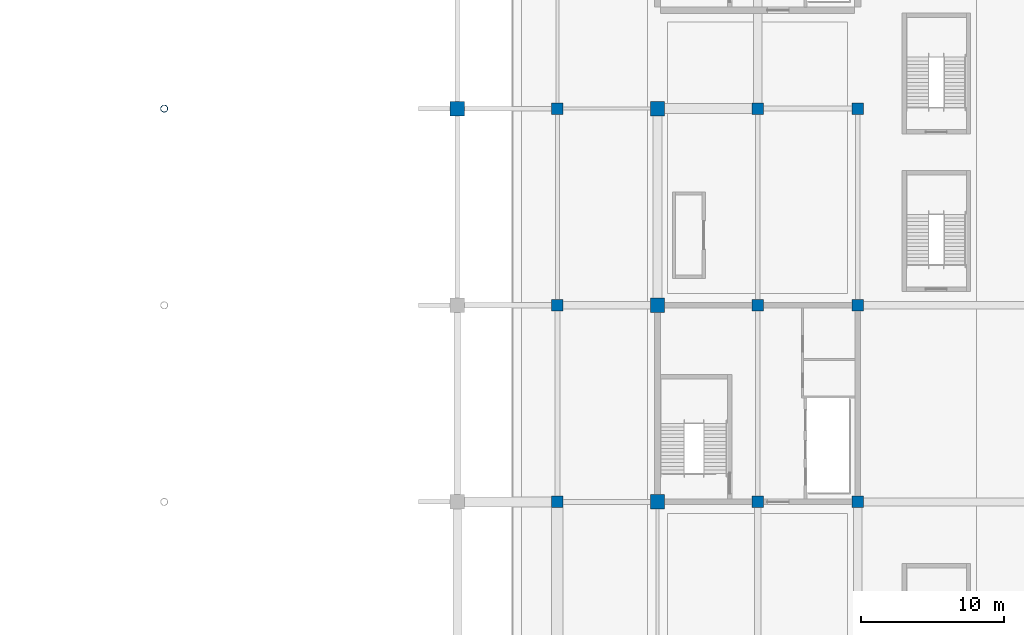
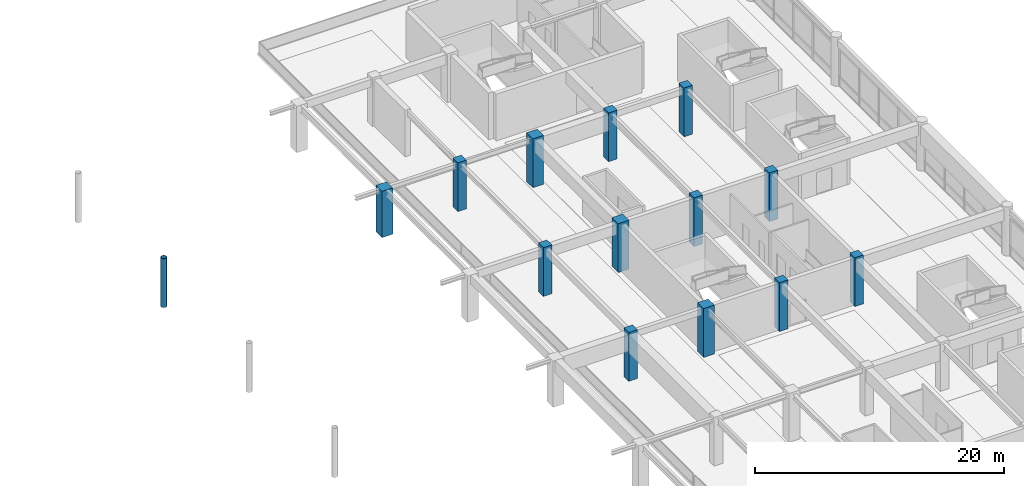
# One storey, part 11 of 91: 14 columns.
"""IFC4 building model written with IfcOpenShell, lengths in metres."""

from ifc_helpers import new_model, si_unit, direction, frame, origin, origin_2d, place, context, subcontext, project, spatial, rectangle, hollow_circle, extrude, material, material_profile, profile_set, type_object, element, save


model = new_model("IFC4")

# Units and contexts
model_context = context("Model", 3, precision=1e-05, world=origin(), true_north=direction((0.0, 1.0)))
body_context = subcontext(model_context, "Body", "Model", "MODEL_VIEW")
ifc_project = project(units=[si_unit("LENGTHUNIT", "METRE"), si_unit("AREAUNIT", "SQUARE_METRE"), si_unit("VOLUMEUNIT", "CUBIC_METRE"), si_unit("PLANEANGLEUNIT", "RADIAN"), si_unit("MASSUNIT", "GRAM", prefix="KILO")], contexts=[model_context])

# Site, building, storey
site_placement = place(None, origin())
site = spatial("IfcSite", under=ifc_project, at=site_placement, CompositionType="ELEMENT")
building_placement = place(site_placement, origin())
building = spatial("IfcBuilding", under=site, at=building_placement, Name="Linyun Crest Stadium", CompositionType="ELEMENT")
storey_placement = place(building_placement, frame((0.0, 0.0, 11.39990234375)))
storey = spatial("IfcBuildingStorey", under=building, at=storey_placement, Name="L03", CompositionType="ELEMENT", Elevation=11.39990234375)

# Columns
ifc_material_1 = material(Name="Concrete C50", Category="concrete")
ifc_material_profile_1 = material_profile(ifc_material_1, rectangle(XDim=0.800048828125, YDim=0.800048828125, at=origin_2d()), Name="RC 800x800")
ifc_profile_set_1 = profile_set([ifc_material_profile_1], Name="Concrete C50")
column_type_1 = type_object("IfcColumnType", Name="C03", PredefinedType="COLUMN", material=ifc_profile_set_1)
for number, where, z_axis, x_axis, name in (
    (1, (63.0, 2.125, 0.0), (0.0, 0.0, 1.0), (1.0, 0.0, 0.0), "Column C03 L03 376"),
    (2, (63.0, 15.875, 0.0), (0.0, 0.0, 1.0), (1.0, 0.0, 0.0), "Column C03 L03 381"),
    (3, (63.0, 29.625, 0.0), (0.0, 0.0, 1.0), (1.0, 0.0, 0.0), "Column C03 L03 386"),
    (4, (77.0, 2.125, 0.0), (0.0, 0.0, 1.0), (1.0, 0.0, 0.0), "Column C03 L03 464"),
    (5, (77.0, 15.875, 0.0), (0.0, 0.0, 1.0), (1.0, 0.0, 0.0), "Column C03 L03 469"),
    (6, (77.0, 29.625, 0.0), (0.0, 0.0, 1.0), (1.0, 0.0, 0.0), "Column C03 L03 474"),
    (7, (84.0, 2.125, 0.0), (0.0, 0.0, 1.0), (1.0, 0.0, 0.0), "Column C03 L03 508"),
    (8, (84.0, 15.875, 0.0), (0.0, 0.0, 1.0), (1.0, 0.0, 0.0), "Column C03 L03 514"),
    (9, (84.0, 29.625, 0.0), (0.0, 0.0, 1.0), (1.0, 0.0, 0.0), "Column C03 L03 520"),
):
    element("IfcColumn", number, at=place(storey_placement, frame(where, z_axis=z_axis, x_axis=x_axis)), inside=storey, type_object=column_type_1, Name=name, PredefinedType="COLUMN", context=body_context, shape_type="SweptSolid", body=[
        extrude(rectangle(XDim=0.800048828125, YDim=0.800048828125, at=origin_2d()), origin(), (0.0, 0.0, 1.0), 4.798095703125),
    ])
ifc_material_2 = material(Name="Concrete C50", Category="concrete")
ifc_material_profile_2 = material_profile(ifc_material_2, rectangle(XDim=1.0, YDim=1.0, at=origin_2d()), Name="RC 1000x1000")
ifc_profile_set_2 = profile_set([ifc_material_profile_2], Name="Concrete C50")
column_type_2 = type_object("IfcColumnType", Name="C05", PredefinedType="COLUMN", material=ifc_profile_set_2)
column_1_placement = place(storey_placement, frame((56.0, 29.625, 0.0), z_axis=(0.0, 0.0, 1.0), x_axis=(1.0, 0.0, 0.0)))
element("IfcColumn", 10, at=column_1_placement, inside=storey, type_object=column_type_2, Name="Column C05 L03 348", PredefinedType="COLUMN", context=body_context, shape_type="SweptSolid", body=[
    extrude(rectangle(XDim=1.0, YDim=1.0, at=origin_2d()), origin(), (0.0, 0.0, 1.0), 4.5400390625),
])
for number, where, z_axis, x_axis, name in (
    (11, (70.0, 2.125, 0.0), (0.0, 0.0, 1.0), (1.0, 0.0, 0.0), "Column C05 L03 420"),
    (12, (70.0, 15.875, 0.0), (0.0, 0.0, 1.0), (1.0, 0.0, 0.0), "Column C05 L03 426"),
    (13, (70.0, 29.625, 0.0), (0.0, 0.0, 1.0), (1.0, 0.0, 0.0), "Column C05 L03 432"),
):
    element("IfcColumn", number, at=place(storey_placement, frame(where, z_axis=z_axis, x_axis=x_axis)), inside=storey, type_object=column_type_2, Name=name, PredefinedType="COLUMN", context=body_context, shape_type="SweptSolid", body=[
        extrude(rectangle(XDim=1.0, YDim=1.0, at=origin_2d()), origin(), (0.0, 0.0, 1.0), 4.798095703125),
    ])
ifc_material_3 = material(Name="Steel Q355C", Category="steel")
ifc_material_profile_3 = material_profile(ifc_material_3, hollow_circle(Radius=0.25390625, WallThickness=0.02490234375, at=origin_2d()), Name="CHS 508x25")
ifc_profile_set_3 = profile_set([ifc_material_profile_3], Name="Steel Q355C")
column_type_3 = type_object("IfcColumnType", Name="SC05", PredefinedType="COLUMN", material=ifc_profile_set_3)
column_2_placement = place(storey_placement, frame((35.5, 29.625, 0.0), z_axis=(0.0, 0.0, 1.0), x_axis=(1.0, 0.0, 0.0)))
element("IfcColumn", 14, at=column_2_placement, inside=storey, type_object=column_type_3, Name="Arch colonnade column SC05 L03 30", PredefinedType="COLUMN", context=body_context, shape_type="SweptSolid", body=[
    extrude(hollow_circle(Radius=0.25390625, WallThickness=0.02490234375, at=origin_2d()), origin(), (0.0, 0.0, 1.0), 4.800048828125),
])

save(model, "model.ifc")
